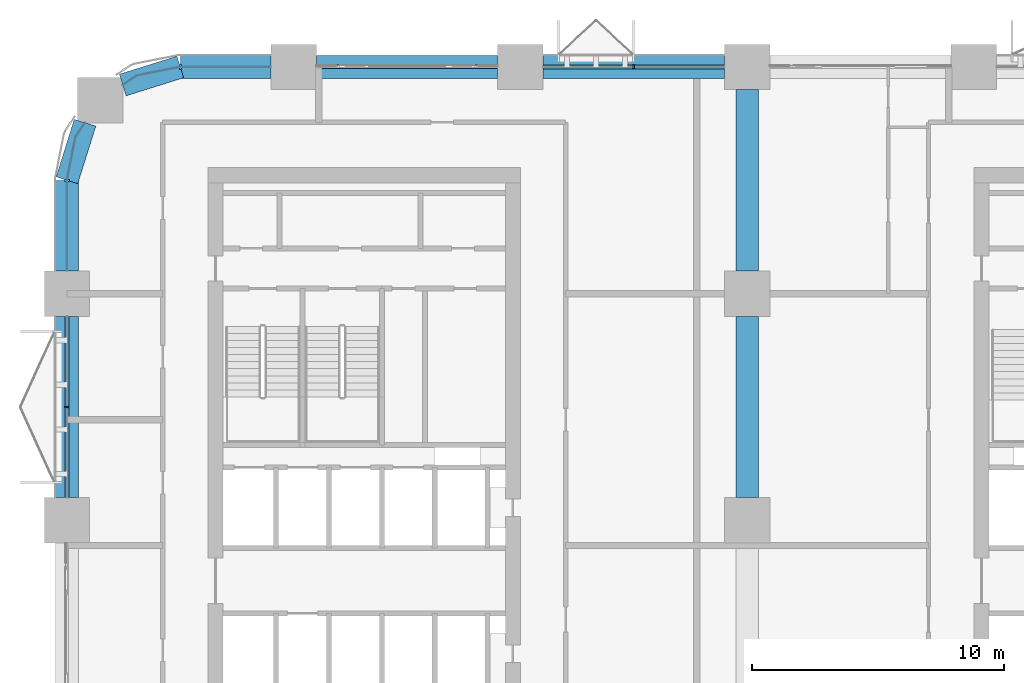
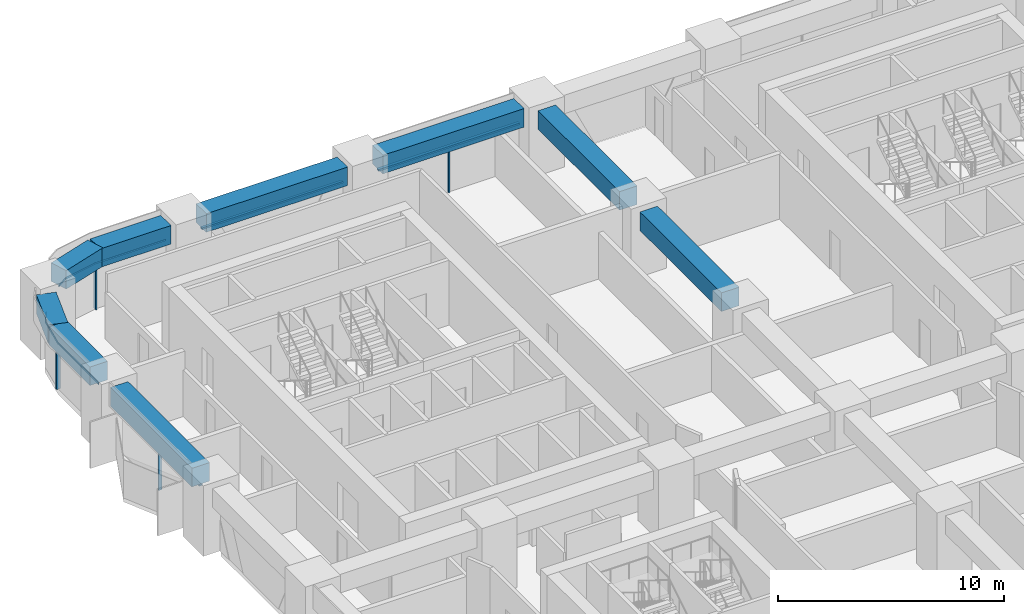
# One storey, part 6 of 21: 9 beams, 9 members, 5 elements without a shape of their own.
"""IFC4 building model written with IfcOpenShell, lengths in metres."""

from ifc_helpers import new_model, si_unit, direction, frame, origin, origin_2d, place, context, subcontext, project, spatial, polyline, rectangle, outline, extrude, material, material_profile, profile_set, type_object, element, aggregate, save


model = new_model("IFC4")

# Units and contexts
model_context = context("Model", 3, precision=1e-05, world=origin(), true_north=direction((0.0, 1.0)))
body_context = subcontext(model_context, "Body", "Model", "MODEL_VIEW")
ifc_project = project(units=[si_unit("LENGTHUNIT", "METRE"), si_unit("AREAUNIT", "SQUARE_METRE"), si_unit("VOLUMEUNIT", "CUBIC_METRE"), si_unit("PLANEANGLEUNIT", "RADIAN"), si_unit("MASSUNIT", "GRAM", prefix="KILO")], contexts=[model_context])

# Site, building, storey
site_placement = place(None, origin())
site = spatial("IfcSite", under=ifc_project, at=site_placement, CompositionType="ELEMENT")
building_placement = place(site_placement, origin())
building = spatial("IfcBuilding", under=site, at=building_placement, Name="Tessera Arch", CompositionType="ELEMENT")
storey_placement = place(building_placement, frame((0.0, 0.0, 42.39990234375)))
storey = spatial("IfcBuildingStorey", under=building, at=storey_placement, Name="L08", CompositionType="ELEMENT", Elevation=42.39990234375)

# Curtain wall, member
ifc_material_1 = material(Name="CW1 curtain wall")
curtain_wall_type_1 = type_object("IfcCurtainWallType", Name="CW1 curtain wall", PredefinedType="NOTDEFINED", material=ifc_material_1)
curtain_wall_1_placement = place(storey_placement, origin())
curtain_wall_1 = element("IfcCurtainWall", 1, at=curtain_wall_1_placement, inside=storey, type_object=curtain_wall_type_1, Name="CW1 curtain wall N54.0/3 L08", PredefinedType="NOTDEFINED")
ifc_material_2 = material(Name="Anodised aluminium pale metal", Category="aluminium")
ifc_material_profile_1 = material_profile(ifc_material_2, rectangle(XDim=0.159912109375, YDim=0.06005859375, at=origin_2d()), Name="AL 60x160")
ifc_profile_set_1 = profile_set([ifc_material_profile_1], Name="Anodised aluminium pale metal")
member_type_1 = type_object("IfcMemberType", Name="CW1 mullion", PredefinedType="MULLION", material=ifc_profile_set_1)
member_1_placement = place(storey_placement, frame((22.5, 54.0, 0.0), z_axis=(0.0, 0.0, 1.0), x_axis=(0.0, -1.0, 0.0)))
member_1 = element("IfcMember", 2, at=member_1_placement, type_object=member_type_1, Name="CW1 mullion N54.0/3 1", PredefinedType="MULLION", context=body_context, shape_type="SweptSolid", body=[
    extrude(rectangle(XDim=0.159912109375, YDim=0.06005859375, at=origin_2d()), origin(), (0.0, 0.0, 1.0), 2.400146484375),
])

curtain_wall_2_placement = place(storey_placement, origin())
curtain_wall_2 = element("IfcCurtainWall", 3, at=curtain_wall_2_placement, inside=storey, type_object=curtain_wall_type_1, Name="CW1 curtain wall W0.0/1 L08", PredefinedType="NOTDEFINED")
member_2_placement = place(storey_placement, frame((0.0, 40.5, 0.0), z_axis=(0.0, 0.0, 1.0), x_axis=(1.0, 0.0, 0.0)))
member_2 = element("IfcMember", 4, at=member_2_placement, type_object=member_type_1, Name="CW1 mullion W0.0/1 1", PredefinedType="MULLION", context=body_context, shape_type="SweptSolid", body=[
    extrude(rectangle(XDim=0.159912109375, YDim=0.06005859375, at=origin_2d()), origin(), (0.0, 0.0, 1.0), 2.400146484375),
])

# Member
ifc_material_3 = material(Name="Anodised aluminium pale metal", Category="aluminium")
ifc_material_profile_2 = material_profile(ifc_material_3, rectangle(XDim=0.159912109375, YDim=0.10009765625, at=origin_2d()), Name="AL 160x100")
ifc_profile_set_2 = profile_set([ifc_material_profile_2], Name="Anodised aluminium pale metal")
member_type_2 = type_object("IfcMemberType", Name="CW1 transom", PredefinedType="USERDEFINED", material=ifc_profile_set_2)
member_3_placement = place(storey_placement, frame((26.10009765625, 54.0, 2.4501953125), z_axis=(-1.0, 0.0, 0.0), x_axis=(0.0, -1.0, 0.0)))
member_3 = element("IfcMember", 5, at=member_3_placement, type_object=member_type_2, Name="CW1 transom N54.0/3 1.1", ObjectType="TRANSOM", PredefinedType="USERDEFINED", context=body_context, shape_type="SweptSolid", body=[
    extrude(rectangle(XDim=0.159912109375, YDim=0.10009765625, at=origin_2d()), origin(), (0.0, 0.0, 1.0), 7.2001953125),
])

aggregate(curtain_wall_1, [member_1, member_3])

member_4_placement = place(storey_placement, frame((0.0, 44.10009765625, 2.4501953125), z_axis=(0.0, -1.0, 0.0), x_axis=(1.0, 0.0, 0.0)))
member_4 = element("IfcMember", 6, at=member_4_placement, type_object=member_type_2, Name="CW1 transom W0.0/1 1.1", ObjectType="TRANSOM", PredefinedType="USERDEFINED", context=body_context, shape_type="SweptSolid", body=[
    extrude(rectangle(XDim=0.159912109375, YDim=0.10009765625, at=origin_2d()), origin(), (0.0, 0.0, 1.0), 7.2001953125),
])

aggregate(curtain_wall_2, [member_2, member_4])

# Curtain wall, member
ifc_material_4 = material(Name="CW2 curtain wall")
curtain_wall_type_2 = type_object("IfcCurtainWallType", Name="CW2 curtain wall", PredefinedType="NOTDEFINED", material=ifc_material_4)
curtain_wall_3_placement = place(storey_placement, origin())
curtain_wall_3 = element("IfcCurtainWall", 7, at=curtain_wall_3_placement, inside=storey, type_object=curtain_wall_type_2, Name="CW2 curtain wall N54.0/5 L08", PredefinedType="NOTDEFINED")
ifc_material_5 = material(Name="Anodised aluminium pale metal", Category="aluminium")
ifc_material_profile_3 = material_profile(ifc_material_5, rectangle(XDim=0.199951171875, YDim=0.080078125, at=origin_2d()), Name="AL 80x200")
ifc_profile_set_3 = profile_set([ifc_material_profile_3], Name="Anodised aluminium pale metal")
member_type_3 = type_object("IfcMemberType", Name="CW2 mullion", PredefinedType="MULLION", material=ifc_profile_set_3)
member_5_placement = place(storey_placement, frame((4.5, 54.0, 0.0), z_axis=(0.0, 0.0, 1.0), x_axis=(0.0, -1.0, 0.0)))
member_5 = element("IfcMember", 8, at=member_5_placement, type_object=member_type_3, Name="CW2 mullion N54.0/5 1", PredefinedType="MULLION", context=body_context, shape_type="SweptSolid", body=[
    extrude(rectangle(XDim=0.199951171875, YDim=0.080078125, at=origin_2d()), origin(), (0.0, 0.0, 1.0), 2.400146484375),
])

curtain_wall_4_placement = place(storey_placement, origin())
curtain_wall_4 = element("IfcCurtainWall", 9, at=curtain_wall_4_placement, inside=storey, type_object=curtain_wall_type_2, Name="CW2 curtain wall W0.0/0 L08", PredefinedType="NOTDEFINED")
member_6_placement = place(storey_placement, frame((0.0, 49.5, 0.0), z_axis=(0.0, 0.0, 1.0), x_axis=(1.0, 0.0, 0.0)))
member_6 = element("IfcMember", 10, at=member_6_placement, type_object=member_type_3, Name="CW2 mullion W0.0/0 1", PredefinedType="MULLION", context=body_context, shape_type="SweptSolid", body=[
    extrude(rectangle(XDim=0.199951171875, YDim=0.080078125, at=origin_2d()), origin(), (0.0, 0.0, 1.0), 2.400146484375),
])

# Member
ifc_material_6 = material(Name="Anodised aluminium pale metal", Category="aluminium")
ifc_material_profile_4 = material_profile(ifc_material_6, rectangle(XDim=0.199951171875, YDim=0.10009765625, at=origin_2d()), Name="AL 200x100")
ifc_profile_set_4 = profile_set([ifc_material_profile_4], Name="Anodised aluminium pale metal")
member_type_4 = type_object("IfcMemberType", Name="CW2 transom", PredefinedType="USERDEFINED", material=ifc_profile_set_4)
member_7_placement = place(storey_placement, frame((0.0, 0.0, 2.400146484375)))
member_7 = element("IfcMember", 11, at=member_7_placement, type_object=member_type_4, Name="CW2 transom N54.0/5 1", ObjectType="TRANSOM", PredefinedType="USERDEFINED", context=body_context, shape_type="SweptSolid", body=[
    extrude(outline(polyline([(4.5009765625, 53.989990234375), (8.10009765625, 53.989990234375), (8.10009765625, 54.010009765625), (4.4990234375, 54.010009765625), (2.77392578125, 53.6669921875), (2.21240234375, 53.29150390625), (2.2236328125, 53.27490234375), (2.78173828125, 53.648193359375), (4.5009765625, 53.989990234375)])), origin(), (0.0, 0.0, 1.0), 0.099853515625),
])

aggregate(curtain_wall_3, [member_5, member_7])

member_8_placement = place(storey_placement, frame((0.0, 0.0, 2.400146484375)))
member_8 = element("IfcMember", 12, at=member_8_placement, type_object=member_type_4, Name="CW2 transom W0.0/0 1", ObjectType="TRANSOM", PredefinedType="USERDEFINED", context=body_context, shape_type="SweptSolid", body=[
    extrude(outline(polyline([(0.351806640625, 51.21826171875), (0.72509765625, 51.7763671875), (0.70849609375, 51.78759765625), (0.3330078125, 51.22607421875), (-0.010009765625, 49.5009765625), (-0.010009765625, 45.89990234375), (0.010009765625, 45.89990234375), (0.010009765625, 49.4990234375), (0.351806640625, 51.21826171875)])), origin(), (0.0, 0.0, 1.0), 0.099853515625),
])

aggregate(curtain_wall_4, [member_6, member_8])

# Curtain wall, member
ifc_material_7 = material(Name="CW3 curtain wall")
curtain_wall_type_3 = type_object("IfcCurtainWallType", Name="CW3 curtain wall", PredefinedType="NOTDEFINED", material=ifc_material_7)
curtain_wall_5_placement = place(storey_placement, origin())
curtain_wall_5 = element("IfcCurtainWall", 13, at=curtain_wall_5_placement, inside=storey, type_object=curtain_wall_type_3, Name="CW3 curtain wall N54.0/4 L08", PredefinedType="NOTDEFINED")
ifc_material_8 = material(Name="Anodised aluminium pale metal", Category="aluminium")
ifc_material_profile_5 = material_profile(ifc_material_8, rectangle(XDim=0.139892578125, YDim=0.10009765625, at=origin_2d()), Name="AL 140x100")
ifc_profile_set_5 = profile_set([ifc_material_profile_5], Name="Anodised aluminium pale metal")
member_type_5 = type_object("IfcMemberType", Name="CW3 transom", PredefinedType="USERDEFINED", material=ifc_profile_set_5)
member_9_placement = place(storey_placement, frame((17.10009765625, 54.0, 2.4501953125), z_axis=(-1.0, 0.0, 0.0), x_axis=(0.0, -1.0, 0.0)))
member_9 = element("IfcMember", 14, at=member_9_placement, type_object=member_type_5, Name="CW3 transom N54.0/4 1.1", ObjectType="TRANSOM", PredefinedType="USERDEFINED", context=body_context, shape_type="SweptSolid", body=[
    extrude(rectangle(XDim=0.139892578125, YDim=0.10009765625, at=origin_2d()), origin(), (0.0, 0.0, 1.0), 7.2001953125),
])
aggregate(curtain_wall_5, [member_9])

# Beams
ifc_material_9 = material(Name="Concrete C80/95", Category="concrete")
ifc_material_profile_6 = material_profile(ifc_material_9, rectangle(XDim=0.89990234375, YDim=1.0, at=origin_2d()), Name="RC spandrel beam 900 x 1000 Concrete C80/95")
ifc_profile_set_6 = profile_set([ifc_material_profile_6], Name="Concrete C80/95")
beam_type = type_object("IfcBeamType", Name="RC spandrel beam 900 x 1000 Concrete C80/95", PredefinedType="BEAM", material=ifc_profile_set_6)
for number, where, z_axis, x_axis, name in (
    (15, (26.10009765625, 54.0, 3.0), (-1.0, 0.0, 0.0), (0.0, -1.0, 0.0), "Spandrel beam L08 N54.0/3"),
    (16, (17.10009765625, 54.0, 3.0), (-1.0, 0.0, 0.0), (0.0, -1.0, 0.0), "Spandrel beam L08 N54.0/4"),
):
    element("IfcBeam", number, at=place(storey_placement, frame(where, z_axis=z_axis, x_axis=x_axis)), inside=storey, type_object=beam_type, Name=name, PredefinedType="BEAM", context=body_context, shape_type="SweptSolid", body=[
        extrude(rectangle(XDim=0.89990234375, YDim=1.0, at=origin_2d()), origin(), (0.0, 0.0, 1.0), 7.2001953125),
    ])
beam_1_placement = place(storey_placement, frame((8.10009765625, 54.0, 3.0), z_axis=(-1.0, 0.0, 0.0), x_axis=(0.0, -1.0, 0.0)))
element("IfcBeam", 17, at=beam_1_placement, inside=storey, type_object=beam_type, Name="Spandrel beam L08 N54.0/5.1", PredefinedType="BEAM", context=body_context, shape_type="SweptSolid", body=[
    extrude(rectangle(XDim=0.89990234375, YDim=1.0, at=origin_2d()), origin(), (0.0, 0.0, 1.0), 3.60009765625),
])
for number, where, z_axis, x_axis, name in (
    (18, (4.5, 54.0, 3.0), (-0.954041251279, -0.299675309057, 0.0), (0.299675309057, -0.954041251279, 0.0), "Spandrel beam L08 N54.0/5.2"),
    (19, (0.716796875, 51.781982421875, 3.0), (-0.299675309057, -0.954041251279, 0.0), (0.954041251279, -0.299675309057, 0.0), "Spandrel beam L08 W0.0/0.1"),
):
    element("IfcBeam", number, at=place(storey_placement, frame(where, z_axis=z_axis, x_axis=x_axis)), inside=storey, type_object=beam_type, Name=name, PredefinedType="BEAM", context=body_context, shape_type="SweptSolid", body=[
        extrude(rectangle(XDim=0.89990234375, YDim=1.0, at=origin_2d()), origin(), (0.0, 0.0, 1.0), 2.391845703125),
    ])
beam_2_placement = place(storey_placement, frame((0.0, 49.5, 3.0), z_axis=(0.0, -1.0, 0.0), x_axis=(1.0, 0.0, 0.0)))
element("IfcBeam", 20, at=beam_2_placement, inside=storey, type_object=beam_type, Name="Spandrel beam L08 W0.0/0.2", PredefinedType="BEAM", context=body_context, shape_type="SweptSolid", body=[
    extrude(rectangle(XDim=0.89990234375, YDim=1.0, at=origin_2d()), origin(), (0.0, 0.0, 1.0), 3.60009765625),
])
for number, where, z_axis, x_axis, name in (
    (21, (0.0, 44.10009765625, 3.0), (0.0, -1.0, 0.0), (1.0, 0.0, 0.0), "Spandrel beam L08 W0.0/1"),
    (22, (27.0, 36.89990234375, 3.0), (0.0, 1.0, 0.0), (-1.0, 0.0, 0.0), "Interface beam L08 I0C4E-C4F"),
    (23, (27.0, 45.89990234375, 3.0), (0.0, 1.0, 0.0), (-1.0, 0.0, 0.0), "Interface beam L08 I0C4F-C4G"),
):
    element("IfcBeam", number, at=place(storey_placement, frame(where, z_axis=z_axis, x_axis=x_axis)), inside=storey, type_object=beam_type, Name=name, PredefinedType="BEAM", context=body_context, shape_type="SweptSolid", body=[
        extrude(rectangle(XDim=0.89990234375, YDim=1.0, at=origin_2d()), origin(), (0.0, 0.0, 1.0), 7.2001953125),
    ])

save(model, "model.ifc")
